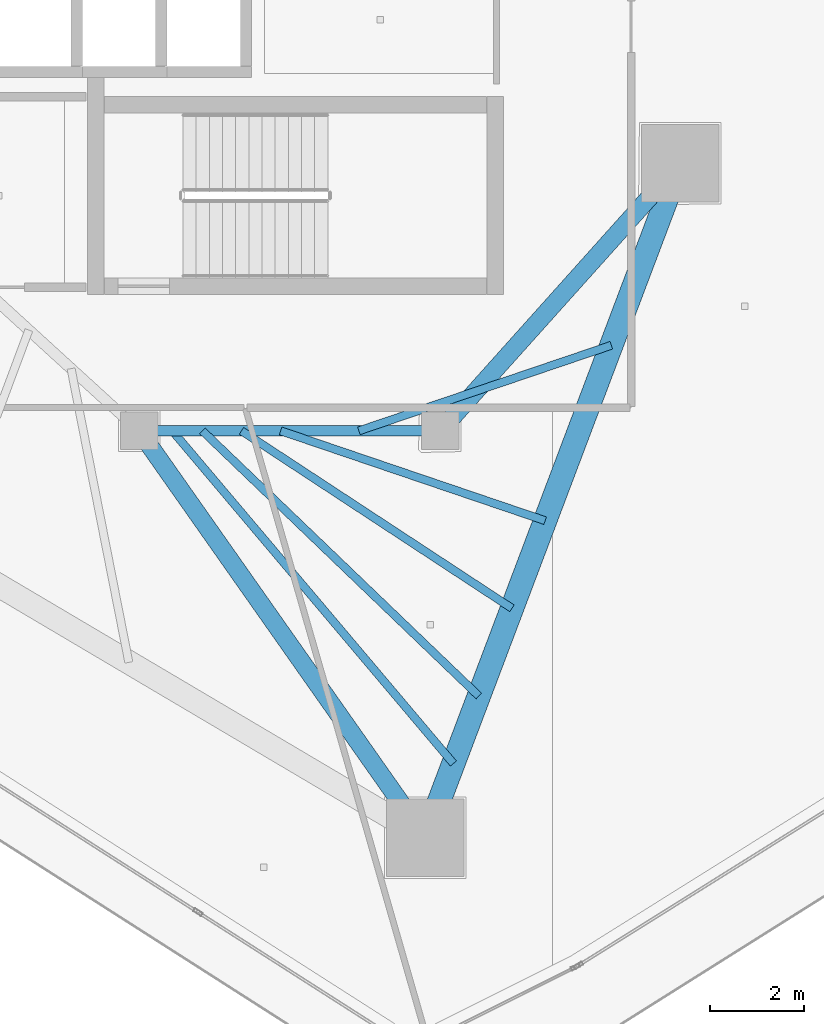
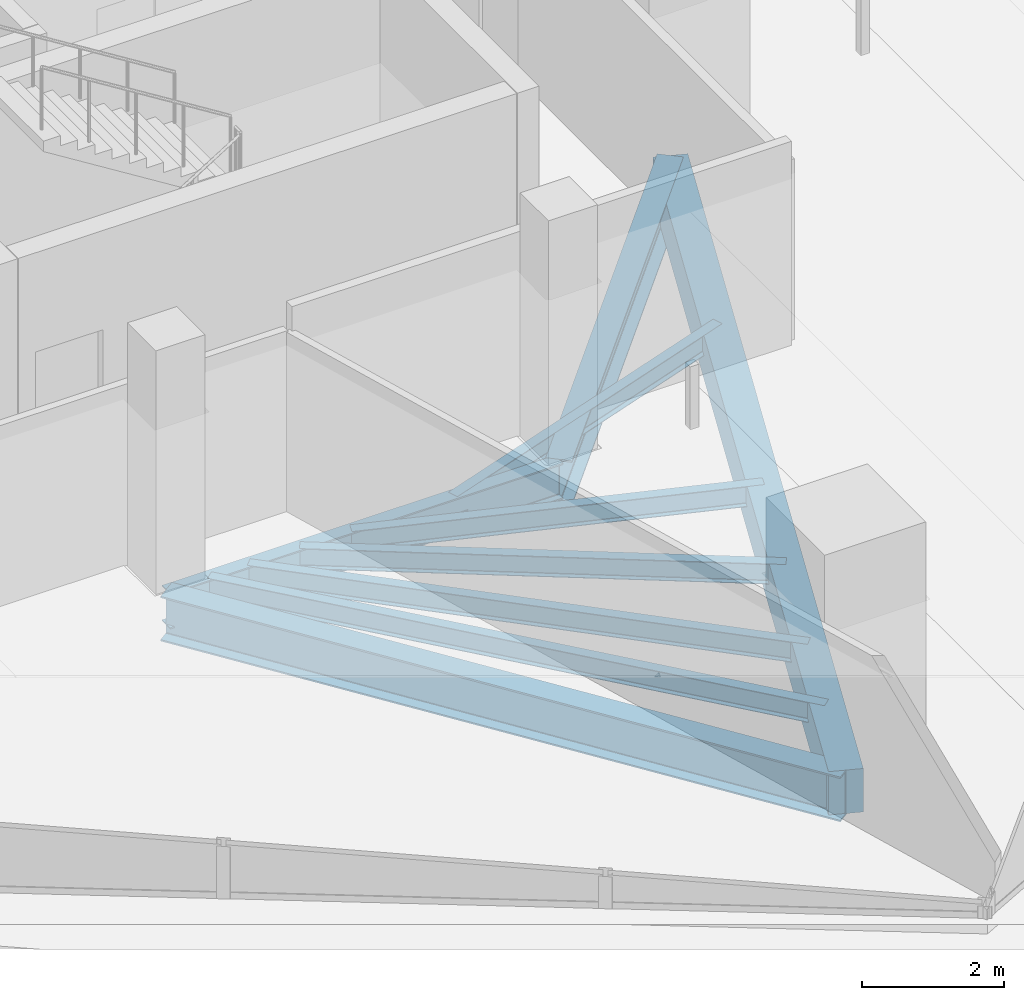
# One storey, part 8 of 31: 9 beams.
"""IFC4 building model written with IfcOpenShell, lengths in metres."""

from ifc_helpers import new_model, si_unit, direction, frame, origin, origin_2d, place, context, subcontext, project, spatial, rectangle, i_section, extrude, material, material_profile, profile_set, type_object, element, save


model = new_model("IFC4")

# Units and contexts
model_context = context("Model", 3, precision=1e-05, world=origin(), true_north=direction((0.0, 1.0)))
body_context = subcontext(model_context, "Body", "Model", "MODEL_VIEW")
ifc_project = project(units=[si_unit("LENGTHUNIT", "METRE"), si_unit("AREAUNIT", "SQUARE_METRE"), si_unit("VOLUMEUNIT", "CUBIC_METRE"), si_unit("PLANEANGLEUNIT", "RADIAN"), si_unit("MASSUNIT", "GRAM", prefix="KILO")], contexts=[model_context])

# Site, building, storey
site_placement = place(None, origin())
site = spatial("IfcSite", under=ifc_project, at=site_placement, CompositionType="ELEMENT")
building_placement = place(site_placement, origin())
building = spatial("IfcBuilding", under=site, at=building_placement, Name="Qorvath Tower", CompositionType="ELEMENT")
storey_placement = place(building_placement, frame((0.0, 0.0, 259.800048828125)))
storey = spatial("IfcBuildingStorey", under=building, at=storey_placement, Name="L60", CompositionType="ELEMENT", Elevation=259.800048828125)

# Beams
ifc_material_1 = material(Name="Steel ASTM A992 Grade 50", Category="steel")
ifc_material_profile_1 = material_profile(ifc_material_1, i_section(OverallWidth=0.381103515625, OverallDepth=0.77294921875, WebThickness=0.0166015625, FlangeThickness=0.027099609375, FilletRadius=0.01904296875, at=origin_2d()), Name="W30x173")
ifc_profile_set_1 = profile_set([ifc_material_profile_1], Name="Steel ASTM A992 Grade 50")
beam_type_1 = type_object("IfcBeamType", Name="BM-FG3", PredefinedType="BEAM", material=ifc_profile_set_1)
beam_1_placement = place(storey_placement, frame((-17.199951171875, -11.449951171875, -0.676513671875), z_axis=(0.667543184261, 0.744571082669, 0.0), x_axis=(-0.744571082669, 0.667543184261, 0.0)))
element("IfcBeam", 1, at=beam_1_placement, inside=storey, type_object=beam_type_1, Name="Radial Floor Girder CC3-MC4 L60", PredefinedType="BEAM", context=body_context, shape_type="SweptSolid", body=[
    extrude(i_section(OverallWidth=0.381103515625, OverallDepth=0.77294921875, WebThickness=0.0166015625, FlangeThickness=0.027099609375, FilletRadius=0.01904296875, at=origin_2d()), origin(), (0.0, 0.0, 1.0), 7.644775390625),
])
beam_2_placement = place(storey_placement, frame((-23.60009765625, -11.449951171875, -0.676513671875), z_axis=(0.575274974004, -0.81796008722, 0.0), x_axis=(0.81796008722, 0.575274974004, 0.0)))
element("IfcBeam", 2, at=beam_2_placement, inside=storey, type_object=beam_type_1, Name="Radial Floor Girder CC4-MC3 L60", PredefinedType="BEAM", context=body_context, shape_type="SweptSolid", body=[
    extrude(i_section(OverallWidth=0.381103515625, OverallDepth=0.77294921875, WebThickness=0.0166015625, FlangeThickness=0.027099609375, FilletRadius=0.01904296875, at=origin_2d()), origin(), (0.0, 0.0, 1.0), 10.5771484375),
])
ifc_material_2 = material(Name="Steel ASTM A992 Grade 50", Category="steel")
ifc_material_profile_2 = material_profile(ifc_material_2, i_section(OverallWidth=0.22998046875, OverallDepth=0.616943359375, WebThickness=0.01318359375, FlangeThickness=0.022216796875, FilletRadius=0.014892578125, at=origin_2d()), Name="W24x94")
ifc_profile_set_2 = profile_set([ifc_material_profile_2], Name="Steel ASTM A992 Grade 50")
beam_type_2 = type_object("IfcBeamType", Name="BM-FG6", PredefinedType="BEAM", material=ifc_profile_set_2)
beam_3_placement = place(storey_placement, frame((-17.199951171875, -11.449951171875, -0.5986328125), z_axis=(-1.0, 0.0, 0.0), x_axis=(0.0, -1.0, 0.0)))
element("IfcBeam", 3, at=beam_3_placement, inside=storey, type_object=beam_type_2, Name="Core Ring Girder CC3-CC4 L60", PredefinedType="BEAM", context=body_context, shape_type="SweptSolid", body=[
    extrude(i_section(OverallWidth=0.22998046875, OverallDepth=0.616943359375, WebThickness=0.01318359375, FlangeThickness=0.022216796875, FilletRadius=0.014892578125, at=origin_2d()), origin(), (0.0, 0.0, 1.0), 6.400146484375),
])
ifc_material_3 = material(Name="Steel ASTM A992 Grade 50", Category="steel")
ifc_material_profile_3 = material_profile(ifc_material_3, i_section(OverallWidth=0.1708984375, OverallDepth=0.35107421875, WebThickness=0.0068359375, FlangeThickness=0.009765625, FilletRadius=0.010009765625, at=origin_2d()), Name="W14x30")
ifc_profile_set_3 = profile_set([ifc_material_profile_3], Name="Steel ASTM A992 Grade 50")
beam_type_3 = type_object("IfcBeamType", Name="BM-FJ4", PredefinedType="JOIST", material=ifc_profile_set_3)
beam_4_placement = place(storey_placement, frame((-18.927978515625, -11.449951171875, -0.465576171875), z_axis=(0.947086298547, 0.32097903842, 0.0), x_axis=(-0.32097903842, 0.947086298547, 0.0)))
element("IfcBeam", 4, at=beam_4_placement, inside=storey, type_object=beam_type_3, Name="Composite Floor Joist SE2 L60", PredefinedType="JOIST", context=body_context, shape_type="SweptSolid", body=[
    extrude(i_section(OverallWidth=0.1708984375, OverallDepth=0.35107421875, WebThickness=0.0068359375, FlangeThickness=0.009765625, FilletRadius=0.010009765625, at=origin_2d()), origin(), (0.0, 0.0, 1.0), 5.66796875),
])
beam_5_placement = place(storey_placement, frame((-20.592041015625, -11.449951171875, -0.465576171875), z_axis=(0.946863164885, -0.321636669216, 0.0), x_axis=(0.321636669216, 0.946863164885, 0.0)))
element("IfcBeam", 5, at=beam_5_placement, inside=storey, type_object=beam_type_3, Name="Composite Floor Joist SE4 L60", PredefinedType="JOIST", context=body_context, shape_type="SweptSolid", body=[
    extrude(i_section(OverallWidth=0.1708984375, OverallDepth=0.35107421875, WebThickness=0.0068359375, FlangeThickness=0.009765625, FilletRadius=0.010009765625, at=origin_2d()), origin(), (0.0, 0.0, 1.0), 5.93896484375),
])
beam_6_placement = place(storey_placement, frame((-21.424072265625, -11.449951171875, -0.465576171875), z_axis=(0.835992964387, -0.548740160272, 0.0), x_axis=(0.548740160272, 0.835992964387, 0.0)))
element("IfcBeam", 6, at=beam_6_placement, inside=storey, type_object=beam_type_3, Name="Composite Floor Joist SE5 L60", PredefinedType="JOIST", context=body_context, shape_type="SweptSolid", body=[
    extrude(i_section(OverallWidth=0.1708984375, OverallDepth=0.35107421875, WebThickness=0.0068359375, FlangeThickness=0.009765625, FilletRadius=0.010009765625, at=origin_2d()), origin(), (0.0, 0.0, 1.0), 6.879150390625),
])
beam_7_placement = place(storey_placement, frame((-22.256103515625, -11.449951171875, -0.465576171875), z_axis=(0.721625044611, -0.692284114356, 0.0), x_axis=(0.692284114356, 0.721625044611, 0.0)))
element("IfcBeam", 7, at=beam_7_placement, inside=storey, type_object=beam_type_3, Name="Composite Floor Joist SE6 L60", PredefinedType="JOIST", context=body_context, shape_type="SweptSolid", body=[
    extrude(i_section(OverallWidth=0.1708984375, OverallDepth=0.35107421875, WebThickness=0.0068359375, FlangeThickness=0.009765625, FilletRadius=0.010009765625, at=origin_2d()), origin(), (0.0, 0.0, 1.0), 8.14599609375),
])
beam_8_placement = place(storey_placement, frame((-22.89599609375, -11.449951171875, -0.465576171875), z_axis=(0.645381885676, -0.763860079885, 0.0), x_axis=(0.763860079885, 0.645381885676, 0.0)))
element("IfcBeam", 8, at=beam_8_placement, inside=storey, type_object=beam_type_3, Name="Composite Floor Joist SE7 L60", PredefinedType="JOIST", context=body_context, shape_type="SweptSolid", body=[
    extrude(i_section(OverallWidth=0.1708984375, OverallDepth=0.35107421875, WebThickness=0.0068359375, FlangeThickness=0.009765625, FilletRadius=0.010009765625, at=origin_2d()), origin(), (0.0, 0.0, 1.0), 9.260498046875),
])
ifc_material_4 = material(Name="Concrete C45/55", Category="concrete")
ifc_material_profile_4 = material_profile(ifc_material_4, rectangle(XDim=0.5, YDim=0.75, at=origin_2d()), Name="RCB 750x500")
ifc_profile_set_4 = profile_set([ifc_material_profile_4], Name="Concrete C45/55")
beam_type_4 = type_object("IfcBeamType", Name="BM-RCB3", PredefinedType="SPANDREL", material=ifc_profile_set_4)
beam_9_placement = place(storey_placement, frame((-17.515380859375, -20.1015625, -0.6650390625), z_axis=(0.353397781952, 0.935473146441, 0.0), x_axis=(-0.935473146441, 0.353397781952, 0.0)))
element("IfcBeam", 9, at=beam_9_placement, inside=storey, type_object=beam_type_4, Name="Perimeter Loggia Frame Beam MC3-MC4 L60", PredefinedType="SPANDREL", context=body_context, shape_type="SweptSolid", body=[
    extrude(rectangle(XDim=0.5, YDim=0.75, at=origin_2d()), origin(), (0.0, 0.0, 1.0), 15.333251953125),
])

save(model, "model.ifc")
